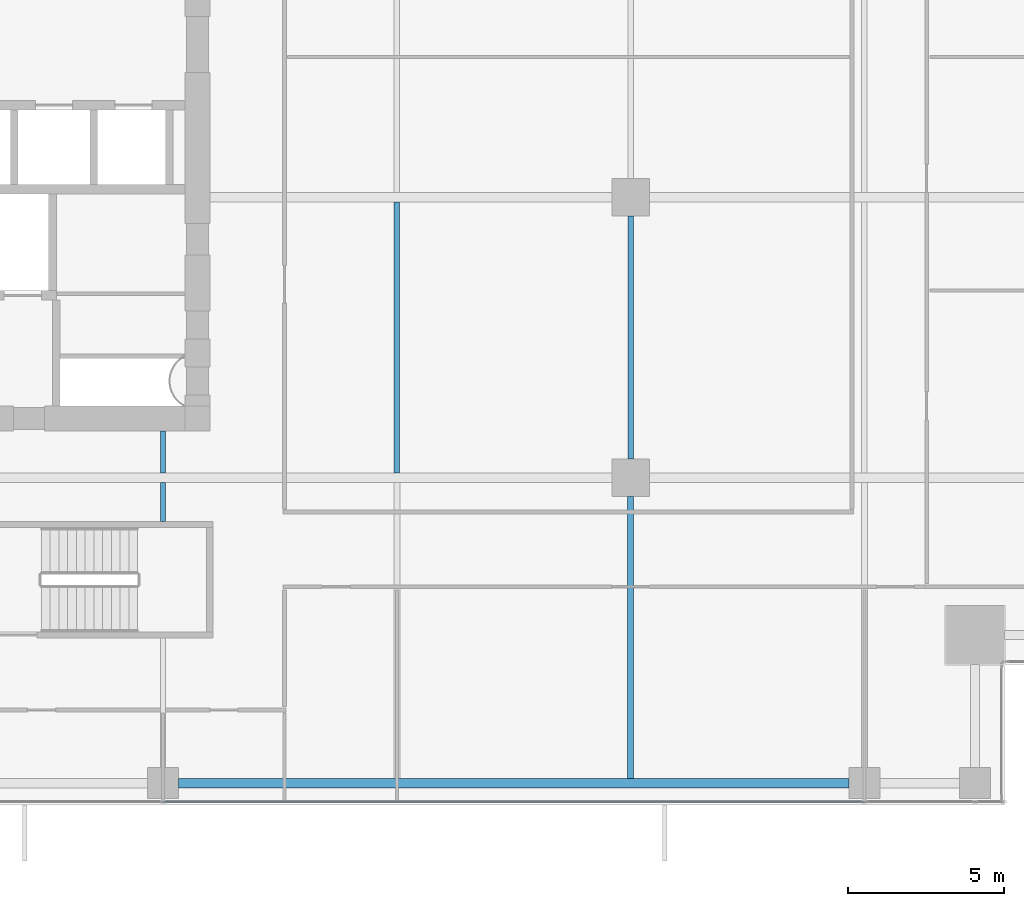
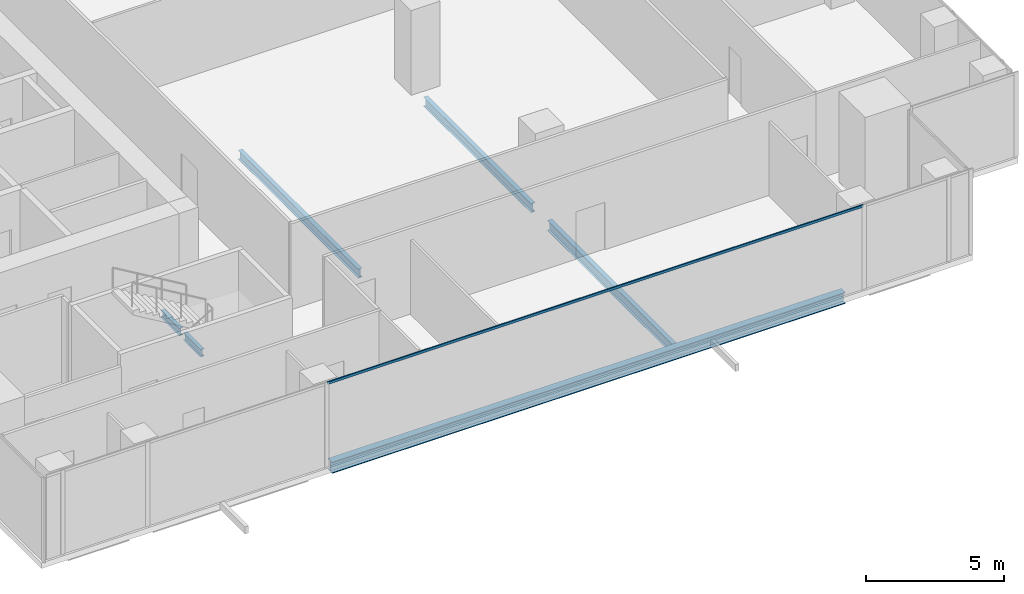
# One storey, part 7 of 40: 6 beams, 1 member, 1 element without a shape of its own.
"""IFC4 building model written with IfcOpenShell, lengths in metres."""

from ifc_helpers import new_model, si_unit, direction, frame, origin, origin_2d, place, context, subcontext, project, spatial, hollow_rectangle, i_section, extrude, source, transform, mapped, material, material_profile, profile_set, type_object, element, aggregate, save


model = new_model("IFC4")

# Units and contexts
model_context = context("Model", 3, precision=1e-05, world=origin(), true_north=direction((0.0, 1.0)))
body_context = subcontext(model_context, "Body", "Model", "MODEL_VIEW")
ifc_project = project(units=[si_unit("LENGTHUNIT", "METRE"), si_unit("AREAUNIT", "SQUARE_METRE"), si_unit("VOLUMEUNIT", "CUBIC_METRE"), si_unit("PLANEANGLEUNIT", "RADIAN"), si_unit("MASSUNIT", "GRAM", prefix="KILO")], contexts=[model_context])

# Site, building, storey
site_placement = place(None, origin())
site = spatial("IfcSite", under=ifc_project, at=site_placement, CompositionType="ELEMENT")
building_placement = place(site_placement, origin())
building = spatial("IfcBuilding", under=site, at=building_placement, Name="Khomas Fold Tower", CompositionType="ELEMENT")
storey_placement = place(building_placement, frame((0.0, 0.0, 192.699951171875)))
storey = spatial("IfcBuildingStorey", under=building, at=storey_placement, Name="L42", CompositionType="ELEMENT", Elevation=192.699951171875)

# Beams
ifc_material_1 = material(Name="Steel S355", Category="steel")
ifc_material_profile_1 = material_profile(ifc_material_1, i_section(OverallWidth=0.179931640625, OverallDepth=0.39990234375, WebThickness=0.008544921875, FlangeThickness=0.013427734375, at=origin_2d()), Name="IPE 400")
ifc_profile_set_1 = profile_set([ifc_material_profile_1], Name="Steel S355")
beam_type_1 = type_object("IfcBeamType", Name="IPE 400 beam JB3", PredefinedType="BEAM", material=ifc_profile_set_1)
shared_shape_1 = source(origin(), body_context, "Body", "SweptSolid", [
    extrude(i_section(OverallWidth=0.179931640625, OverallDepth=0.39990234375, WebThickness=0.008544921875, FlangeThickness=0.013427734375, at=origin_2d()), origin(), (0.0, 0.0, 1.0), 8.7001953125),
])
beam_1_placement = place(storey_placement, frame((27.0, 13.64990234375, -0.449951171875), z_axis=(0.0, 1.0, 0.0), x_axis=(-1.0, 0.0, 0.0)))
element("IfcBeam", 1, at=beam_1_placement, inside=storey, type_object=beam_type_1, Name="JB3", PredefinedType="BEAM", context=body_context, shape_type="MappedRepresentation", body=[
    mapped(shared_shape_1, transform((0.0, 0.0, 0.0))),
])
ifc_material_2 = material(Name="Steel S355", Category="steel")
ifc_material_profile_2 = material_profile(ifc_material_2, i_section(OverallWidth=0.159912109375, OverallDepth=0.330078125, WebThickness=0.007568359375, FlangeThickness=0.011474609375, at=origin_2d()), Name="IPE 330")
ifc_profile_set_2 = profile_set([ifc_material_profile_2], Name="Steel S355")
beam_type_2 = type_object("IfcBeamType", Name="IPE 330 beam JB1", PredefinedType="BEAM", material=ifc_profile_set_2)
shared_shape_2 = source(origin(), body_context, "Body", "SweptSolid", [
    extrude(i_section(OverallWidth=0.159912109375, OverallDepth=0.330078125, WebThickness=0.007568359375, FlangeThickness=0.011474609375, at=origin_2d()), origin(), (0.0, 0.0, 1.0), 1.25),
])
beam_2_placement = place(storey_placement, frame((19.5, 12.10009765625, -0.4150390625), z_axis=(0.0, 1.0, 0.0), x_axis=(-1.0, 0.0, 0.0)))
element("IfcBeam", 2, at=beam_2_placement, inside=storey, type_object=beam_type_2, Name="JB1", PredefinedType="BEAM", context=body_context, shape_type="MappedRepresentation", body=[
    mapped(shared_shape_2, transform((0.0, 0.0, 0.0))),
])
shared_shape_3 = source(origin(), body_context, "Body", "SweptSolid", [
    extrude(i_section(OverallWidth=0.179931640625, OverallDepth=0.39990234375, WebThickness=0.008544921875, FlangeThickness=0.013427734375, at=origin_2d()), origin(), (0.0, 0.0, 1.0), 7.7998046875),
])
beam_3_placement = place(storey_placement, frame((34.5, 14.10009765625, -0.449951171875), z_axis=(0.0, 1.0, 0.0), x_axis=(-1.0, 0.0, 0.0)))
element("IfcBeam", 3, at=beam_3_placement, inside=storey, type_object=beam_type_1, Name="JB3", PredefinedType="BEAM", context=body_context, shape_type="MappedRepresentation", body=[
    mapped(shared_shape_3, transform((0.0, 0.0, 0.0))),
])
ifc_material_3 = material(Name="Steel S355", Category="steel")
ifc_material_profile_3 = material_profile(ifc_material_3, i_section(OverallWidth=0.300048828125, OverallDepth=0.5, WebThickness=0.014404296875, FlangeThickness=0.028076171875, at=origin_2d()), Name="HE 500 B")
ifc_profile_set_3 = profile_set([ifc_material_profile_3], Name="Steel S355")
beam_type_3 = type_object("IfcBeamType", Name="HE 500 B spandrel SB3", PredefinedType="SPANDREL", material=ifc_profile_set_3)
shared_shape_4 = source(origin(), body_context, "Body", "SweptSolid", [
    extrude(i_section(OverallWidth=0.300048828125, OverallDepth=0.5, WebThickness=0.014404296875, FlangeThickness=0.028076171875, at=origin_2d()), origin(), (0.0, 0.0, 1.0), 21.5),
])
beam_4_placement = place(storey_placement, frame((20.0, 3.699951171875, -0.5), z_axis=(1.0, 0.0, 0.0), x_axis=(0.0, 1.0, 0.0)))
element("IfcBeam", 4, at=beam_4_placement, inside=storey, type_object=beam_type_3, Name="SB3", PredefinedType="SPANDREL", context=body_context, shape_type="MappedRepresentation", body=[
    mapped(shared_shape_4, transform((0.0, 0.0, 0.0))),
])
shared_shape_5 = source(origin(), body_context, "Body", "SweptSolid", [
    extrude(i_section(OverallWidth=0.159912109375, OverallDepth=0.330078125, WebThickness=0.007568359375, FlangeThickness=0.011474609375, at=origin_2d()), origin(), (0.0, 0.0, 1.0), 1.35009765625),
])
beam_5_placement = place(storey_placement, frame((19.5, 13.64990234375, -0.4150390625), z_axis=(0.0, 1.0, 0.0), x_axis=(-1.0, 0.0, 0.0)))
element("IfcBeam", 5, at=beam_5_placement, inside=storey, type_object=beam_type_2, Name="JB1", PredefinedType="BEAM", context=body_context, shape_type="MappedRepresentation", body=[
    mapped(shared_shape_5, transform((0.0, 0.0, 0.0))),
])
ifc_material_4 = material(Name="Steel S355", Category="steel")
ifc_material_profile_4 = material_profile(ifc_material_4, i_section(OverallWidth=0.18994140625, OverallDepth=0.449951171875, WebThickness=0.009521484375, FlangeThickness=0.0146484375, at=origin_2d()), Name="IPE 450")
ifc_profile_set_4 = profile_set([ifc_material_profile_4], Name="Steel S355")
beam_type_4 = type_object("IfcBeamType", Name="IPE 450 beam JB4", PredefinedType="BEAM", material=ifc_profile_set_4)
shared_shape_6 = source(origin(), body_context, "Body", "SweptSolid", [
    extrude(i_section(OverallWidth=0.18994140625, OverallDepth=0.449951171875, WebThickness=0.009521484375, FlangeThickness=0.0146484375, at=origin_2d()), origin(), (0.0, 0.0, 1.0), 9.0498046875),
])
beam_6_placement = place(storey_placement, frame((34.5, 3.85009765625, -0.474853515625), z_axis=(0.0, 1.0, 0.0), x_axis=(-1.0, 0.0, 0.0)))
element("IfcBeam", 6, at=beam_6_placement, inside=storey, type_object=beam_type_4, Name="JB4", PredefinedType="BEAM", context=body_context, shape_type="MappedRepresentation", body=[
    mapped(shared_shape_6, transform((0.0, 0.0, 0.0))),
])

# Curtain wall, member
ifc_material_5 = material(Name="Aluminium framed double glazing", Category="aluminium")
curtain_wall_type = type_object("IfcCurtainWallType", Name="SK-Unitised clear-glass wall, office floors CW2", PredefinedType="NOTDEFINED", material=ifc_material_5)
curtain_wall_placement = place(storey_placement, origin())
curtain_wall = element("IfcCurtainWall", 7, at=curtain_wall_placement, inside=storey, type_object=curtain_wall_type, Name="CW2 run L42 00-0", PredefinedType="NOTDEFINED")
ifc_material_6 = material(Name="Aluminium", Category="aluminium")
ifc_material_profile_5 = material_profile(ifc_material_6, hollow_rectangle(XDim=0.050048828125, YDim=0.110107421875, WallThickness=0.00390625, at=origin_2d()), Name="SK-Unitised clear-glass wall, office floors transom CW2-T")
ifc_profile_set_5 = profile_set([ifc_material_profile_5], Name="Aluminium")
member_type = type_object("IfcMemberType", Name="SK-Unitised clear-glass wall, office floors transom CW2-T", PredefinedType="USERDEFINED", material=ifc_profile_set_5)
shared_shape_7 = source(origin(), body_context, "Body", "SweptSolid", [
    extrude(hollow_rectangle(XDim=0.050048828125, YDim=0.110107421875, WallThickness=0.00390625, at=origin_2d()), origin(), (0.0, 0.0, 1.0), 22.43994140625),
])
member_placement = place(storey_placement, frame((19.530029296875, 3.10009765625, 3.695068359375), z_axis=(1.0, 0.0, 0.0), x_axis=(0.0, 1.0, 0.0)))
member = element("IfcMember", 8, at=member_placement, type_object=member_type, Name="CW2 transom 4", ObjectType="TRANSOM", PredefinedType="USERDEFINED", context=body_context, shape_type="MappedRepresentation", body=[
    mapped(shared_shape_7, transform((0.0, 0.0, 0.0))),
])
aggregate(curtain_wall, [member])

save(model, "model.ifc")
